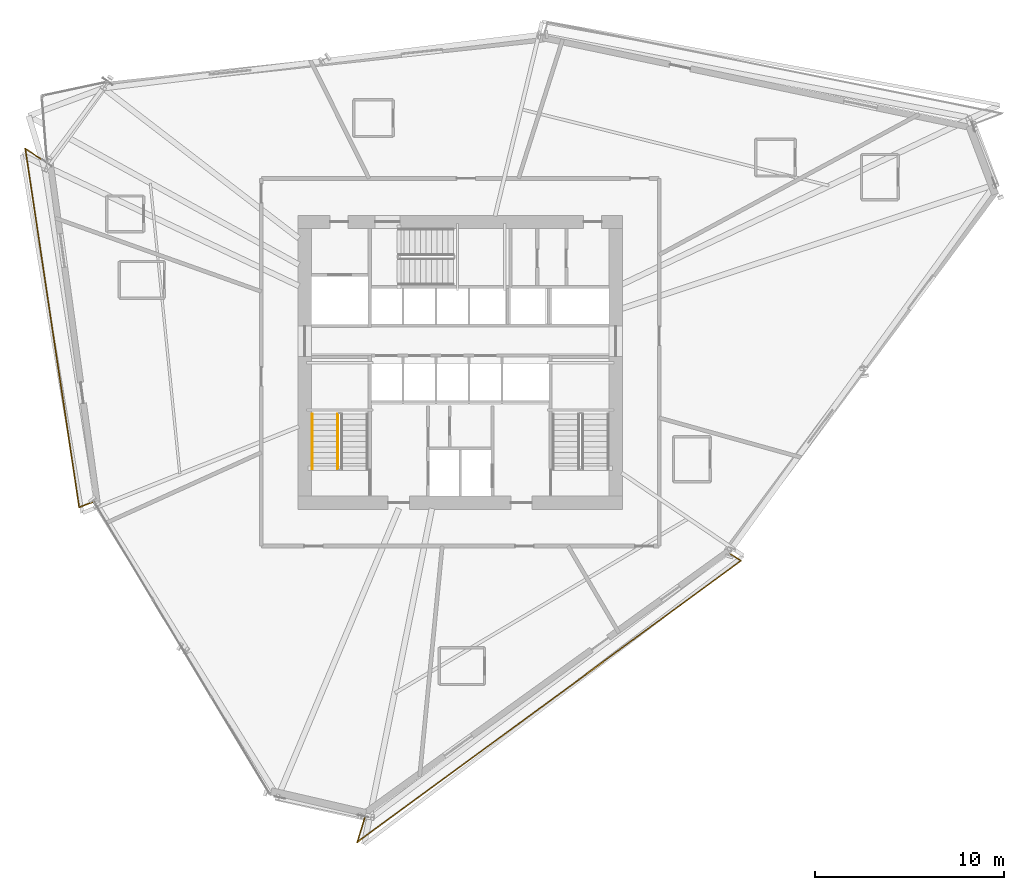
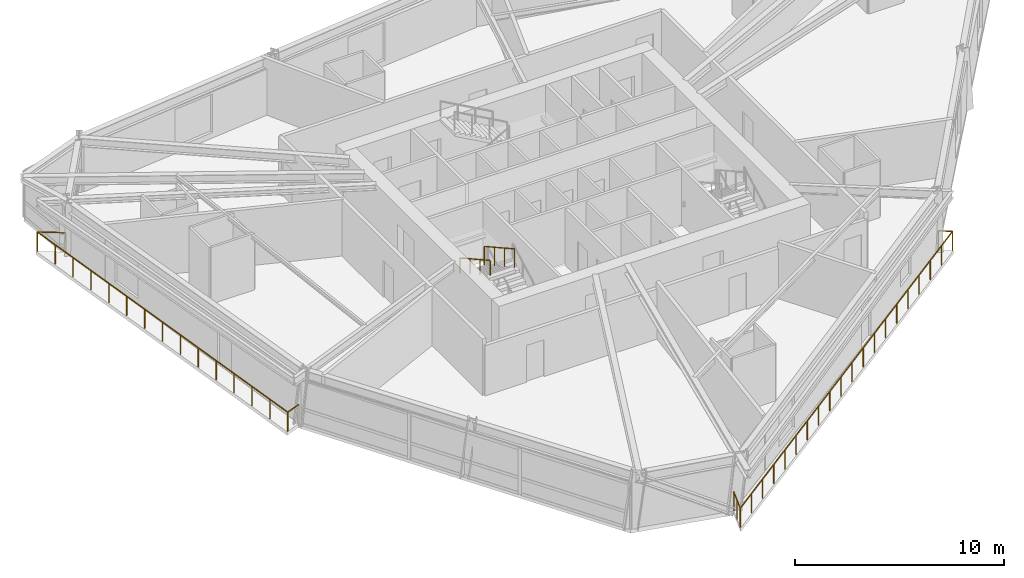
# One storey, part 16 of 18: 4 railings.
"""IFC4 building model written with IfcOpenShell, lengths in metres."""

from ifc_helpers import new_model, si_unit, direction, frame, origin, origin_2d, place, context, subcontext, project, spatial, rectangle, extrude, material, type_object, element, save


model = new_model("IFC4")

# Units and contexts
model_context = context("Model", 3, precision=1e-05, world=origin(), true_north=direction((0.0, 1.0)))
body_context = subcontext(model_context, "Body", "Model", "MODEL_VIEW")
ifc_project = project(units=[si_unit("LENGTHUNIT", "METRE"), si_unit("AREAUNIT", "SQUARE_METRE"), si_unit("VOLUMEUNIT", "CUBIC_METRE"), si_unit("PLANEANGLEUNIT", "RADIAN"), si_unit("MASSUNIT", "GRAM", prefix="KILO")], contexts=[model_context])

# Site, building, storey
site_placement = place(None, origin())
site = spatial("IfcSite", under=ifc_project, at=site_placement, CompositionType="ELEMENT")
building_placement = place(site_placement, origin())
building = spatial("IfcBuilding", under=site, at=building_placement, Name="Olszyna Solenne Hotel", CompositionType="ELEMENT")
storey_placement = place(building_placement, frame((0.0, 0.0, 119.89990234375)))
storey = spatial("IfcBuildingStorey", under=building, at=storey_placement, Name="L31", CompositionType="ELEMENT", Elevation=119.89990234375)

# Railings
ifc_material_1 = material(Name="Anodised bronze aluminium", Category="aluminium")
railing_type_1 = type_object("IfcRailingType", Name="GR-110", PredefinedType="BALUSTRADE", material=ifc_material_1)
railing_1_placement = place(storey_placement, frame((16.090087890625, 37.18017578125, 0.0)))
element("IfcRailing", 1, at=railing_1_placement, inside=storey, type_object=railing_type_1, Name="Loggia balcony balustrade guard GR-L31-LG2", PredefinedType="BALUSTRADE", context=body_context, shape_type="SweptSolid", body=[
    extrude(rectangle(XDim=0.048095703125, YDim=0.048095703125, at=origin_2d()), frame((0.0, 0.0, 1.1259765625), z_axis=(-0.841247491128, 0.540650218414, 0.0), x_axis=(-0.540650218414, -0.841247491128, 0.0)), (0.0, 0.0, 1.0), 1.379150390625),
    extrude(rectangle(XDim=0.048095703125, YDim=0.048095703125, at=origin_2d()), frame((-1.16015625, 0.74560546875, 1.1259765625), z_axis=(0.148550868293, -0.988904767675, 0.0), x_axis=(0.988904767675, 0.148550868293, 0.0)), (0.0, 0.0, 1.0), 19.233642578125),
    extrude(rectangle(XDim=0.048095703125, YDim=0.048095703125, at=origin_2d()), frame((1.697021484375, -18.274658203125, 1.1259765625), z_axis=(0.93277167102, 0.360467765193, 0.0), x_axis=(-0.360467765193, 0.93277167102, 0.0)), (0.0, 0.0, 1.0), 0.845947265625),
    extrude(rectangle(XDim=0.0419921875, YDim=0.0419921875, at=origin_2d()), origin(), (0.0, 0.0, 1.0), 1.101806640625),
    extrude(rectangle(XDim=0.0419921875, YDim=0.0419921875, at=origin_2d()), frame((-1.16015625, 0.74560546875, 0.0)), (0.0, 0.0, 1.0), 1.101806640625),
    extrude(rectangle(XDim=0.0419921875, YDim=0.0419921875, at=origin_2d()), frame((-0.9560546875, -0.613037109375, 0.0)), (0.0, 0.0, 1.0), 1.101806640625),
    extrude(rectangle(XDim=0.0419921875, YDim=0.0419921875, at=origin_2d()), frame((-0.751953125, -1.9716796875, 0.0)), (0.0, 0.0, 1.0), 1.101806640625),
    extrude(rectangle(XDim=0.0419921875, YDim=0.0419921875, at=origin_2d()), frame((-0.5478515625, -3.330078125, 0.0)), (0.0, 0.0, 1.0), 1.101806640625),
    extrude(rectangle(XDim=0.0419921875, YDim=0.0419921875, at=origin_2d()), frame((-0.34375, -4.688720703125, 0.0)), (0.0, 0.0, 1.0), 1.101806640625),
    extrude(rectangle(XDim=0.0419921875, YDim=0.0419921875, at=origin_2d()), frame((-0.1396484375, -6.04736328125, 0.0)), (0.0, 0.0, 1.0), 1.101806640625),
    extrude(rectangle(XDim=0.0419921875, YDim=0.0419921875, at=origin_2d()), frame((0.064453125, -7.406005859375, 0.0)), (0.0, 0.0, 1.0), 1.101806640625),
    extrude(rectangle(XDim=0.0419921875, YDim=0.0419921875, at=origin_2d()), frame((0.2685546875, -8.7646484375, 0.0)), (0.0, 0.0, 1.0), 1.101806640625),
    extrude(rectangle(XDim=0.0419921875, YDim=0.0419921875, at=origin_2d()), frame((0.472412109375, -10.123046875, 0.0)), (0.0, 0.0, 1.0), 1.101806640625),
    extrude(rectangle(XDim=0.0419921875, YDim=0.0419921875, at=origin_2d()), frame((0.676513671875, -11.481689453125, 0.0)), (0.0, 0.0, 1.0), 1.101806640625),
    extrude(rectangle(XDim=0.0419921875, YDim=0.0419921875, at=origin_2d()), frame((0.880615234375, -12.84033203125, 0.0)), (0.0, 0.0, 1.0), 1.101806640625),
    extrude(rectangle(XDim=0.0419921875, YDim=0.0419921875, at=origin_2d()), frame((1.084716796875, -14.198974609375, 0.0)), (0.0, 0.0, 1.0), 1.101806640625),
    extrude(rectangle(XDim=0.0419921875, YDim=0.0419921875, at=origin_2d()), frame((1.288818359375, -15.557373046875, 0.0)), (0.0, 0.0, 1.0), 1.101806640625),
    extrude(rectangle(XDim=0.0419921875, YDim=0.0419921875, at=origin_2d()), frame((1.492919921875, -16.916015625, 0.0)), (0.0, 0.0, 1.0), 1.101806640625),
    extrude(rectangle(XDim=0.0419921875, YDim=0.0419921875, at=origin_2d()), frame((1.697021484375, -18.274658203125, 0.0)), (0.0, 0.0, 1.0), 1.101806640625),
    extrude(rectangle(XDim=0.0419921875, YDim=0.0419921875, at=origin_2d()), frame((2.486083984375, -17.9697265625, 0.0)), (0.0, 0.0, 1.0), 1.101806640625),
])
railing_2_placement = place(storey_placement, frame((32.95458984375, 2.50390625, 0.0)))
element("IfcRailing", 2, at=railing_2_placement, inside=storey, type_object=railing_type_1, Name="Loggia balcony balustrade guard GR-L31-LG3", PredefinedType="BALUSTRADE", context=body_context, shape_type="SweptSolid", body=[
    extrude(rectangle(XDim=0.048095703125, YDim=0.048095703125, at=origin_2d()), frame((0.0, 0.0, 1.1259765625), z_axis=(-0.294666344596, -0.955600201634, 0.0), x_axis=(0.955600201634, -0.294666344596, 0.0)), (0.0, 0.0, 1.0), 1.41845703125),
    extrude(rectangle(XDim=0.048095703125, YDim=0.048095703125, at=origin_2d()), frame((-0.41796875, -1.35546875, 1.1259765625), z_axis=(0.806361633914, 0.591422789003, 0.0), x_axis=(-0.591422789003, 0.806361633914, 0.0)), (0.0, 0.0, 1.0), 25.239990234375),
    extrude(rectangle(XDim=0.048095703125, YDim=0.048095703125, at=origin_2d()), frame((19.9345703125, 13.572021484375, 1.1259765625), z_axis=(-0.841086450679, 0.540900714073, 0.0), x_axis=(-0.540900714073, -0.841086450679, 0.0)), (0.0, 0.0, 1.0), 0.689697265625),
    extrude(rectangle(XDim=0.0419921875, YDim=0.0419921875, at=origin_2d()), origin(), (0.0, 0.0, 1.0), 1.101806640625),
    extrude(rectangle(XDim=0.0419921875, YDim=0.0419921875, at=origin_2d()), frame((-0.208984375, -0.677734375, 0.0)), (0.0, 0.0, 1.0), 1.101806640625),
    extrude(rectangle(XDim=0.0419921875, YDim=0.0419921875, at=origin_2d()), frame((-0.41796875, -1.35546875, 0.0)), (0.0, 0.0, 1.0), 1.101806640625),
    extrude(rectangle(XDim=0.0419921875, YDim=0.0419921875, at=origin_2d()), frame((0.6533203125, -0.56982421875, 0.0)), (0.0, 0.0, 1.0), 1.101806640625),
    extrude(rectangle(XDim=0.0419921875, YDim=0.0419921875, at=origin_2d()), frame((1.724365234375, 0.2158203125, 0.0)), (0.0, 0.0, 1.0), 1.101806640625),
    extrude(rectangle(XDim=0.0419921875, YDim=0.0419921875, at=origin_2d()), frame((2.795654296875, 1.00146484375, 0.0)), (0.0, 0.0, 1.0), 1.101806640625),
    extrude(rectangle(XDim=0.0419921875, YDim=0.0419921875, at=origin_2d()), frame((3.86669921875, 1.787109375, 0.0)), (0.0, 0.0, 1.0), 1.101806640625),
    extrude(rectangle(XDim=0.0419921875, YDim=0.0419921875, at=origin_2d()), frame((4.93798828125, 2.57275390625, 0.0)), (0.0, 0.0, 1.0), 1.101806640625),
    extrude(rectangle(XDim=0.0419921875, YDim=0.0419921875, at=origin_2d()), frame((6.009033203125, 3.3583984375, 0.0)), (0.0, 0.0, 1.0), 1.101806640625),
    extrude(rectangle(XDim=0.0419921875, YDim=0.0419921875, at=origin_2d()), frame((7.080322265625, 4.14404296875, 0.0)), (0.0, 0.0, 1.0), 1.101806640625),
    extrude(rectangle(XDim=0.0419921875, YDim=0.0419921875, at=origin_2d()), frame((8.151611328125, 4.9296875, 0.0)), (0.0, 0.0, 1.0), 1.101806640625),
    extrude(rectangle(XDim=0.0419921875, YDim=0.0419921875, at=origin_2d()), frame((9.22265625, 5.71533203125, 0.0)), (0.0, 0.0, 1.0), 1.101806640625),
    extrude(rectangle(XDim=0.0419921875, YDim=0.0419921875, at=origin_2d()), frame((10.2939453125, 6.501220703125, 0.0)), (0.0, 0.0, 1.0), 1.101806640625),
    extrude(rectangle(XDim=0.0419921875, YDim=0.0419921875, at=origin_2d()), frame((11.364990234375, 7.286865234375, 0.0)), (0.0, 0.0, 1.0), 1.101806640625),
    extrude(rectangle(XDim=0.0419921875, YDim=0.0419921875, at=origin_2d()), frame((12.436279296875, 8.072509765625, 0.0)), (0.0, 0.0, 1.0), 1.101806640625),
    extrude(rectangle(XDim=0.0419921875, YDim=0.0419921875, at=origin_2d()), frame((13.507568359375, 8.858154296875, 0.0)), (0.0, 0.0, 1.0), 1.101806640625),
    extrude(rectangle(XDim=0.0419921875, YDim=0.0419921875, at=origin_2d()), frame((14.57861328125, 9.643798828125, 0.0)), (0.0, 0.0, 1.0), 1.101806640625),
    extrude(rectangle(XDim=0.0419921875, YDim=0.0419921875, at=origin_2d()), frame((15.64990234375, 10.429443359375, 0.0)), (0.0, 0.0, 1.0), 1.101806640625),
    extrude(rectangle(XDim=0.0419921875, YDim=0.0419921875, at=origin_2d()), frame((16.720947265625, 11.215087890625, 0.0)), (0.0, 0.0, 1.0), 1.101806640625),
    extrude(rectangle(XDim=0.0419921875, YDim=0.0419921875, at=origin_2d()), frame((17.792236328125, 12.000732421875, 0.0)), (0.0, 0.0, 1.0), 1.101806640625),
    extrude(rectangle(XDim=0.0419921875, YDim=0.0419921875, at=origin_2d()), frame((18.86328125, 12.786376953125, 0.0)), (0.0, 0.0, 1.0), 1.101806640625),
    extrude(rectangle(XDim=0.0419921875, YDim=0.0419921875, at=origin_2d()), frame((19.9345703125, 13.572021484375, 0.0)), (0.0, 0.0, 1.0), 1.101806640625),
    extrude(rectangle(XDim=0.0419921875, YDim=0.0419921875, at=origin_2d()), frame((19.3544921875, 13.945068359375, 0.0)), (0.0, 0.0, 1.0), 1.101806640625),
])
railing_3_placement = place(storey_placement, frame((31.5, 23.85009765625, 1.9365234375)))
element("IfcRailing", 3, at=railing_3_placement, inside=storey, type_object=railing_type_1, Name="L31 ST1 stair guard 3", PredefinedType="BALUSTRADE", context=body_context, shape_type="SweptSolid", body=[
    extrude(rectangle(XDim=0.048095703125, YDim=0.048095703125, at=origin_2d()), frame((0.0, 0.0, 1.076171875), z_axis=(0.0, -0.873858693841, 0.486179990537), x_axis=(1.0, 0.0, 0.0)), (0.0, 0.0, 1.0), 3.31884765625),
    extrude(rectangle(XDim=0.0419921875, YDim=0.0419921875, at=origin_2d()), origin(), (0.0, 0.0, 1.0), 1.052001953125),
    extrude(rectangle(XDim=0.0419921875, YDim=0.0419921875, at=origin_2d()), frame((0.0, -0.966796875, 0.537841796875)), (0.0, 0.0, 1.0), 1.052001953125),
    extrude(rectangle(XDim=0.0419921875, YDim=0.0419921875, at=origin_2d()), frame((0.0, -1.933349609375, 1.07568359375)), (0.0, 0.0, 1.0), 1.052001953125),
    extrude(rectangle(XDim=0.0419921875, YDim=0.0419921875, at=origin_2d()), frame((0.0, -2.900146484375, 1.613525390625)), (0.0, 0.0, 1.0), 1.052001953125),
])
ifc_material_2 = material(Name="Steel S355J2", Category="steel")
railing_type_2 = type_object("IfcRailingType", Name="HR-090", PredefinedType="HANDRAIL", material=ifc_material_2)
railing_4_placement = place(storey_placement, frame((30.14990234375, 23.85009765625, 1.9365234375)))
element("IfcRailing", 4, at=railing_4_placement, inside=storey, type_object=railing_type_2, Name="L31 ST1 stair handrail 2", PredefinedType="HANDRAIL", context=body_context, shape_type="SweptSolid", body=[
    extrude(rectangle(XDim=0.048095703125, YDim=0.048095703125, at=origin_2d()), frame((0.0, 0.0, 0.8759765625), z_axis=(0.0, -0.873858693841, 0.486179990537), x_axis=(1.0, 0.0, 0.0)), (0.0, 0.0, 1.0), 3.31884765625),
    extrude(rectangle(XDim=0.0419921875, YDim=0.0419921875, at=origin_2d()), origin(), (0.0, 0.0, 1.0), 0.851806640625),
    extrude(rectangle(XDim=0.0419921875, YDim=0.0419921875, at=origin_2d()), frame((0.0, -0.966796875, 0.537841796875)), (0.0, 0.0, 1.0), 0.851806640625),
    extrude(rectangle(XDim=0.0419921875, YDim=0.0419921875, at=origin_2d()), frame((0.0, -1.933349609375, 1.07568359375)), (0.0, 0.0, 1.0), 0.851806640625),
    extrude(rectangle(XDim=0.0419921875, YDim=0.0419921875, at=origin_2d()), frame((0.0, -2.900146484375, 1.613525390625)), (0.0, 0.0, 1.0), 0.851806640625),
])

save(model, "model.ifc")
